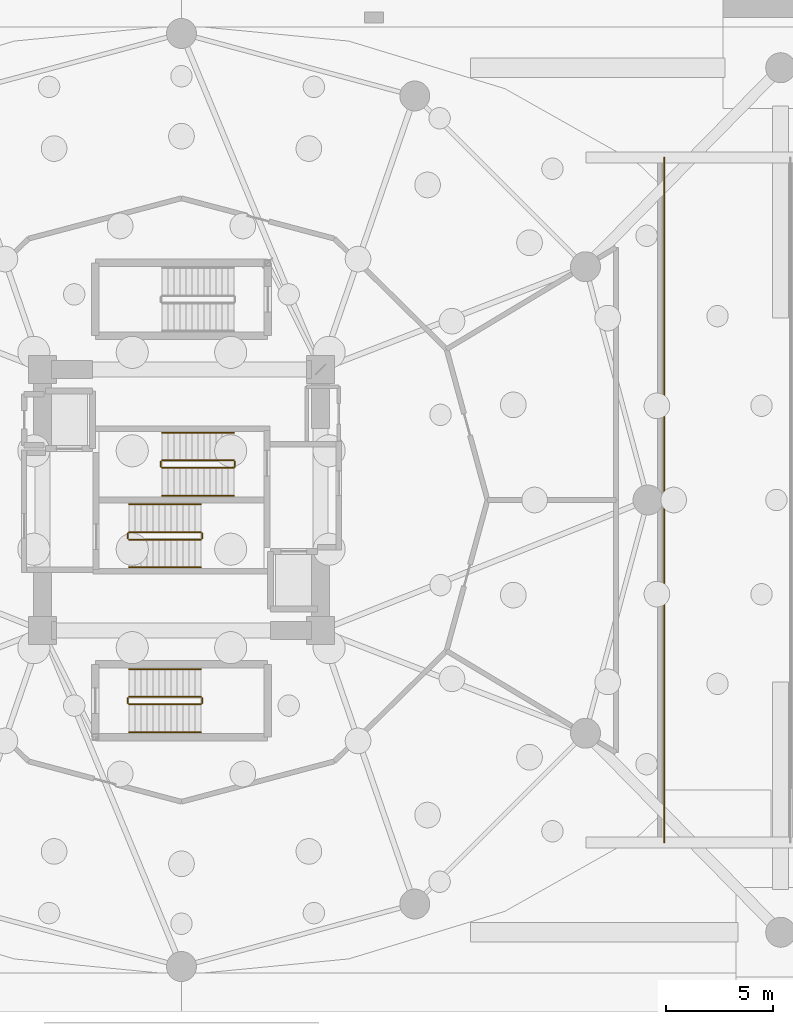
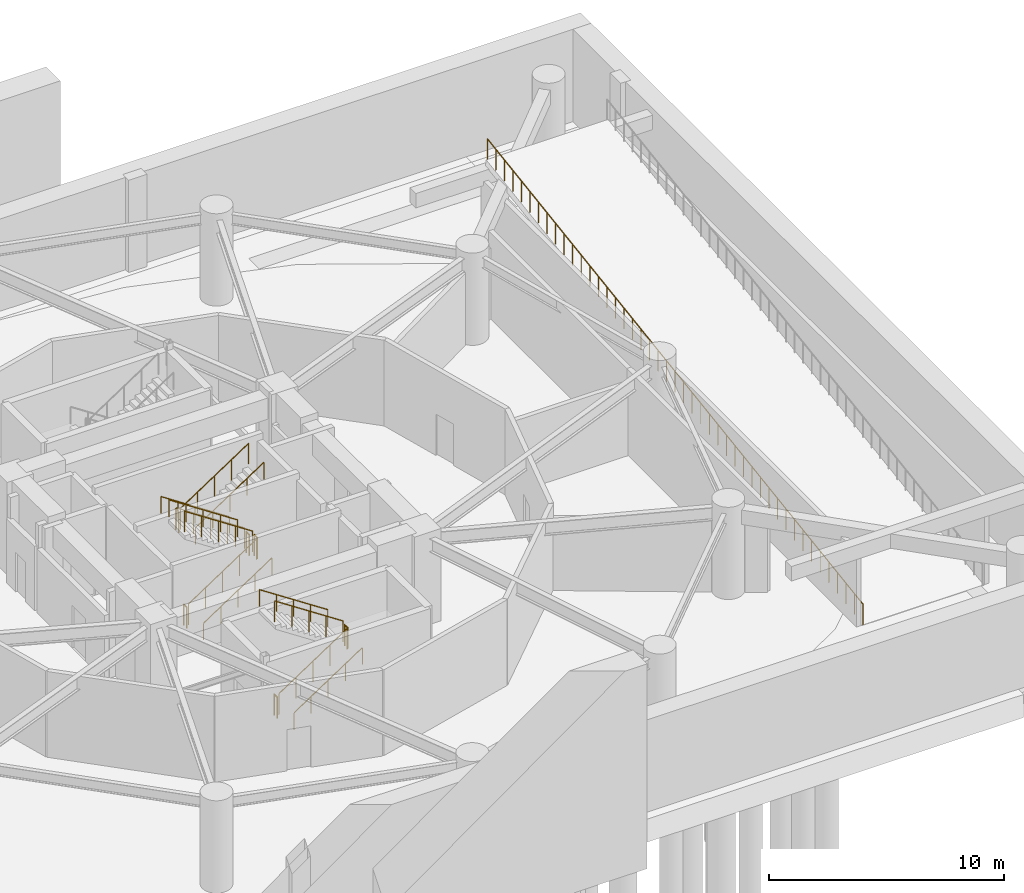
# One storey, part 10 of 12: 19 railings.
"""IFC4 building model written with IfcOpenShell, lengths in metres."""

from ifc_helpers import new_model, si_unit, direction, frame, origin, origin_2d, place, context, subcontext, project, spatial, circle, extrude, material, type_object, element, save


model = new_model("IFC4")

# Units and contexts
model_context = context("Model", 3, precision=1e-05, world=origin(), true_north=direction((0.0, 1.0)))
body_context = subcontext(model_context, "Body", "Model", "MODEL_VIEW")
ifc_project = project(units=[si_unit("LENGTHUNIT", "METRE"), si_unit("AREAUNIT", "SQUARE_METRE"), si_unit("VOLUMEUNIT", "CUBIC_METRE"), si_unit("PLANEANGLEUNIT", "RADIAN"), si_unit("MASSUNIT", "GRAM", prefix="KILO")], contexts=[model_context])

# Site, building, storey
site_placement = place(None, origin())
site = spatial("IfcSite", under=ifc_project, at=site_placement, CompositionType="ELEMENT")
building_placement = place(site_placement, origin())
building = spatial("IfcBuilding", under=site, at=building_placement, Name="Solvirekh Grand Hotel", CompositionType="ELEMENT")
storey_placement = place(building_placement, frame((0.0, 0.0, -9.60009765625)))
storey = spatial("IfcBuildingStorey", under=building, at=storey_placement, Name="B02", CompositionType="ELEMENT", Elevation=-9.60009765625)

# Railings
ifc_material_1 = material(Name="Steel S355", Category="steel")
railing_type_1 = type_object("IfcRailingType", Name="Guard_Stair_1100", PredefinedType="GUARDRAIL", material=ifc_material_1)
railing_1_placement = place(storey_placement, frame((22.56005859375, -16.0, 0.0)))
element("IfcRailing", 1, at=railing_1_placement, inside=storey, type_object=railing_type_1, Name="B02 vehicle ramp R1 W edge safety guardrail", PredefinedType="GUARDRAIL", context=body_context, shape_type="SweptSolid", body=[
    extrude(circle(Radius=0.02392578125, at=origin_2d()), frame((0.0, 0.0, 1.076171875), z_axis=(0.0, 0.988935024618, 0.148349307663), x_axis=(-1.0, 0.0, 0.0)), (0.0, 0.0, 1.0), 16.178955078125),
    extrude(circle(Radius=0.02392578125, at=origin_2d()), frame((0.0, 16.0, 3.47607421875), z_axis=(0.0, 0.988937238327, 0.148334549755), x_axis=(-1.0, 0.0, 0.0)), (0.0, 0.0, 1.0), 16.178955078125),
    extrude(circle(Radius=0.02099609375, at=origin_2d()), origin(), (0.0, 0.0, 1.0), 1.052001953125),
    extrude(circle(Radius=0.02099609375, at=origin_2d()), frame((0.0, 0.727294921875, 0.109130859375)), (0.0, 0.0, 1.0), 1.052001953125),
    extrude(circle(Radius=0.02099609375, at=origin_2d()), frame((0.0, 1.45458984375, 0.21826171875)), (0.0, 0.0, 1.0), 1.052001953125),
    extrude(circle(Radius=0.02099609375, at=origin_2d()), frame((0.0, 2.181884765625, 0.327392578125)), (0.0, 0.0, 1.0), 1.052001953125),
    extrude(circle(Radius=0.02099609375, at=origin_2d()), frame((0.0, 2.9091796875, 0.436279296875)), (0.0, 0.0, 1.0), 1.052001953125),
    extrude(circle(Radius=0.02099609375, at=origin_2d()), frame((0.0, 3.636474609375, 0.54541015625)), (0.0, 0.0, 1.0), 1.052001953125),
    extrude(circle(Radius=0.02099609375, at=origin_2d()), frame((0.0, 4.363525390625, 0.654541015625)), (0.0, 0.0, 1.0), 1.052001953125),
    extrude(circle(Radius=0.02099609375, at=origin_2d()), frame((0.0, 5.0908203125, 0.763671875)), (0.0, 0.0, 1.0), 1.052001953125),
    extrude(circle(Radius=0.02099609375, at=origin_2d()), frame((0.0, 5.818115234375, 0.872802734375)), (0.0, 0.0, 1.0), 1.052001953125),
    extrude(circle(Radius=0.02099609375, at=origin_2d()), frame((0.0, 6.54541015625, 0.98193359375)), (0.0, 0.0, 1.0), 1.052001953125),
    extrude(circle(Radius=0.02099609375, at=origin_2d()), frame((0.0, 7.272705078125, 1.091064453125)), (0.0, 0.0, 1.0), 1.052001953125),
    extrude(circle(Radius=0.02099609375, at=origin_2d()), frame((0.0, 8.0, 1.2001953125)), (0.0, 0.0, 1.0), 1.052001953125),
    extrude(circle(Radius=0.02099609375, at=origin_2d()), frame((0.0, 8.727294921875, 1.30908203125)), (0.0, 0.0, 1.0), 1.052001953125),
    extrude(circle(Radius=0.02099609375, at=origin_2d()), frame((0.0, 9.45458984375, 1.418212890625)), (0.0, 0.0, 1.0), 1.052001953125),
    extrude(circle(Radius=0.02099609375, at=origin_2d()), frame((0.0, 10.181884765625, 1.52734375)), (0.0, 0.0, 1.0), 1.052001953125),
    extrude(circle(Radius=0.02099609375, at=origin_2d()), frame((0.0, 10.9091796875, 1.636474609375)), (0.0, 0.0, 1.0), 1.052001953125),
    extrude(circle(Radius=0.02099609375, at=origin_2d()), frame((0.0, 11.636474609375, 1.74560546875)), (0.0, 0.0, 1.0), 1.052001953125),
    extrude(circle(Radius=0.02099609375, at=origin_2d()), frame((0.0, 12.363525390625, 1.854736328125)), (0.0, 0.0, 1.0), 1.052001953125),
    extrude(circle(Radius=0.02099609375, at=origin_2d()), frame((0.0, 13.0908203125, 1.9638671875)), (0.0, 0.0, 1.0), 1.052001953125),
    extrude(circle(Radius=0.02099609375, at=origin_2d()), frame((0.0, 13.818115234375, 2.07275390625)), (0.0, 0.0, 1.0), 1.052001953125),
    extrude(circle(Radius=0.02099609375, at=origin_2d()), frame((0.0, 14.54541015625, 2.181884765625)), (0.0, 0.0, 1.0), 1.052001953125),
    extrude(circle(Radius=0.02099609375, at=origin_2d()), frame((0.0, 15.272705078125, 2.291015625)), (0.0, 0.0, 1.0), 1.052001953125),
    extrude(circle(Radius=0.02099609375, at=origin_2d()), frame((0.0, 16.0, 2.400146484375)), (0.0, 0.0, 1.0), 1.052001953125),
    extrude(circle(Radius=0.02099609375, at=origin_2d()), frame((0.0, 16.727294921875, 2.50927734375)), (0.0, 0.0, 1.0), 1.052001953125),
    extrude(circle(Radius=0.02099609375, at=origin_2d()), frame((0.0, 17.45458984375, 2.618408203125)), (0.0, 0.0, 1.0), 1.052001953125),
    extrude(circle(Radius=0.02099609375, at=origin_2d()), frame((0.0, 18.181884765625, 2.727294921875)), (0.0, 0.0, 1.0), 1.052001953125),
    extrude(circle(Radius=0.02099609375, at=origin_2d()), frame((0.0, 18.9091796875, 2.83642578125)), (0.0, 0.0, 1.0), 1.052001953125),
    extrude(circle(Radius=0.02099609375, at=origin_2d()), frame((0.0, 19.636474609375, 2.945556640625)), (0.0, 0.0, 1.0), 1.052001953125),
    extrude(circle(Radius=0.02099609375, at=origin_2d()), frame((0.0, 20.363525390625, 3.0546875)), (0.0, 0.0, 1.0), 1.052001953125),
    extrude(circle(Radius=0.02099609375, at=origin_2d()), frame((0.0, 21.0908203125, 3.163818359375)), (0.0, 0.0, 1.0), 1.052001953125),
    extrude(circle(Radius=0.02099609375, at=origin_2d()), frame((0.0, 21.818115234375, 3.27294921875)), (0.0, 0.0, 1.0), 1.052001953125),
    extrude(circle(Radius=0.02099609375, at=origin_2d()), frame((0.0, 22.54541015625, 3.3818359375)), (0.0, 0.0, 1.0), 1.052001953125),
    extrude(circle(Radius=0.02099609375, at=origin_2d()), frame((0.0, 23.272705078125, 3.490966796875)), (0.0, 0.0, 1.0), 1.052001953125),
    extrude(circle(Radius=0.02099609375, at=origin_2d()), frame((0.0, 24.0, 3.60009765625)), (0.0, 0.0, 1.0), 1.052001953125),
    extrude(circle(Radius=0.02099609375, at=origin_2d()), frame((0.0, 24.727294921875, 3.709228515625)), (0.0, 0.0, 1.0), 1.052001953125),
    extrude(circle(Radius=0.02099609375, at=origin_2d()), frame((0.0, 25.45458984375, 3.818359375)), (0.0, 0.0, 1.0), 1.052001953125),
    extrude(circle(Radius=0.02099609375, at=origin_2d()), frame((0.0, 26.181884765625, 3.92724609375)), (0.0, 0.0, 1.0), 1.052001953125),
    extrude(circle(Radius=0.02099609375, at=origin_2d()), frame((0.0, 26.9091796875, 4.036376953125)), (0.0, 0.0, 1.0), 1.052001953125),
    extrude(circle(Radius=0.02099609375, at=origin_2d()), frame((0.0, 27.636474609375, 4.1455078125)), (0.0, 0.0, 1.0), 1.052001953125),
    extrude(circle(Radius=0.02099609375, at=origin_2d()), frame((0.0, 28.363525390625, 4.254638671875)), (0.0, 0.0, 1.0), 1.052001953125),
    extrude(circle(Radius=0.02099609375, at=origin_2d()), frame((0.0, 29.0908203125, 4.36376953125)), (0.0, 0.0, 1.0), 1.052001953125),
    extrude(circle(Radius=0.02099609375, at=origin_2d()), frame((0.0, 29.818115234375, 4.472900390625)), (0.0, 0.0, 1.0), 1.052001953125),
    extrude(circle(Radius=0.02099609375, at=origin_2d()), frame((0.0, 30.54541015625, 4.581787109375)), (0.0, 0.0, 1.0), 1.052001953125),
    extrude(circle(Radius=0.02099609375, at=origin_2d()), frame((0.0, 31.272705078125, 4.69091796875)), (0.0, 0.0, 1.0), 1.052001953125),
    extrude(circle(Radius=0.02099609375, at=origin_2d()), frame((0.0, 32.0, 4.800048828125)), (0.0, 0.0, 1.0), 1.052001953125),
])
railing_2_placement = place(storey_placement, frame((-2.449951171875, -1.85009765625, 0.184814453125)))
element("IfcRailing", 2, at=railing_2_placement, inside=storey, type_object=railing_type_1, Name="B02 ST-1 stair guard 1", PredefinedType="GUARDRAIL", context=body_context, shape_type="SweptSolid", body=[
    extrude(circle(Radius=0.02392578125, at=origin_2d()), frame((0.0, 0.0, 1.076171875), z_axis=(0.834858096282, 0.0, 0.550465220583), x_axis=(0.0, 1.0, 0.0)), (0.0, 0.0, 1.0), 4.0244140625),
    extrude(circle(Radius=0.02099609375, at=origin_2d()), origin(), (0.0, 0.0, 1.0), 1.052001953125),
    extrude(circle(Radius=0.02099609375, at=origin_2d()), frame((0.83984375, 0.0, 0.5537109375)), (0.0, 0.0, 1.0), 1.052001953125),
    extrude(circle(Radius=0.02099609375, at=origin_2d()), frame((1.679931640625, 0.0, 1.107666015625)), (0.0, 0.0, 1.0), 1.052001953125),
    extrude(circle(Radius=0.02099609375, at=origin_2d()), frame((2.52001953125, 0.0, 1.66162109375)), (0.0, 0.0, 1.0), 1.052001953125),
    extrude(circle(Radius=0.02099609375, at=origin_2d()), frame((3.35986328125, 0.0, 2.21533203125)), (0.0, 0.0, 1.0), 1.052001953125),
])
railing_3_placement = place(storey_placement, frame((0.9599609375, -1.800048828125, 2.400146484375)))
element("IfcRailing", 3, at=railing_3_placement, inside=storey, type_object=railing_type_1, Name="B02 ST-1 stair guard 2", PredefinedType="GUARDRAIL", context=body_context, shape_type="SweptSolid", body=[
    extrude(circle(Radius=0.02392578125, at=origin_2d()), frame((0.0, 0.0, 1.076171875), z_axis=(0.0, 1.0, 0.0), x_axis=(-1.0, 0.0, 0.0)), (0.0, 0.0, 1.0), 0.25),
    extrude(circle(Radius=0.02099609375, at=origin_2d()), origin(), (0.0, 0.0, 1.0), 1.052001953125),
    extrude(circle(Radius=0.02099609375, at=origin_2d()), frame((0.0, 0.25, 0.0)), (0.0, 0.0, 1.0), 1.052001953125),
])
railing_4_placement = place(storey_placement, frame((0.909912109375, -1.5, 2.584716796875)))
element("IfcRailing", 4, at=railing_4_placement, inside=storey, type_object=railing_type_1, Name="B02 ST-1 stair guard 3", PredefinedType="GUARDRAIL", context=body_context, shape_type="SweptSolid", body=[
    extrude(circle(Radius=0.02392578125, at=origin_2d()), frame((0.0, 0.0, 1.076171875), z_axis=(-0.834858096282, 0.0, 0.550465220583), x_axis=(0.0, -1.0, 0.0)), (0.0, 0.0, 1.0), 4.0244140625),
    extrude(circle(Radius=0.02099609375, at=origin_2d()), origin(), (0.0, 0.0, 1.0), 1.052001953125),
    extrude(circle(Radius=0.02099609375, at=origin_2d()), frame((-0.83984375, 0.0, 0.5537109375)), (0.0, 0.0, 1.0), 1.052001953125),
    extrude(circle(Radius=0.02099609375, at=origin_2d()), frame((-1.679931640625, 0.0, 1.107666015625)), (0.0, 0.0, 1.0), 1.052001953125),
    extrude(circle(Radius=0.02099609375, at=origin_2d()), frame((-2.52001953125, 0.0, 1.66162109375)), (0.0, 0.0, 1.0), 1.052001953125),
    extrude(circle(Radius=0.02099609375, at=origin_2d()), frame((-3.35986328125, 0.0, 2.21533203125)), (0.0, 0.0, 1.0), 1.052001953125),
])
railing_5_placement = place(storey_placement, frame((-2.5, -1.800048828125, 0.0)))
element("IfcRailing", 5, at=railing_5_placement, inside=storey, type_object=railing_type_1, Name="B02 ST-1 stair guard 4", PredefinedType="GUARDRAIL", context=body_context, shape_type="SweptSolid", body=[
    extrude(circle(Radius=0.02392578125, at=origin_2d()), frame((0.0, 0.0, 1.076171875), z_axis=(0.0, 1.0, 0.0), x_axis=(-1.0, 0.0, 0.0)), (0.0, 0.0, 1.0), 0.25),
    extrude(circle(Radius=0.02099609375, at=origin_2d()), origin(), (0.0, 0.0, 1.0), 1.052001953125),
    extrude(circle(Radius=0.02099609375, at=origin_2d()), frame((0.0, 0.25, 0.0)), (0.0, 0.0, 1.0), 1.052001953125),
])
railing_6_placement = place(storey_placement, frame((2.449951171875, 1.85009765625, 0.184814453125)))
element("IfcRailing", 6, at=railing_6_placement, inside=storey, type_object=railing_type_1, Name="B02 ST-2 stair guard 1", PredefinedType="GUARDRAIL", context=body_context, shape_type="SweptSolid", body=[
    extrude(circle(Radius=0.02392578125, at=origin_2d()), frame((0.0, 0.0, 1.076171875), z_axis=(-0.834858096282, 0.0, 0.550465220583), x_axis=(0.0, -1.0, 0.0)), (0.0, 0.0, 1.0), 4.0244140625),
    extrude(circle(Radius=0.02099609375, at=origin_2d()), origin(), (0.0, 0.0, 1.0), 1.052001953125),
    extrude(circle(Radius=0.02099609375, at=origin_2d()), frame((-0.83984375, 0.0, 0.5537109375)), (0.0, 0.0, 1.0), 1.052001953125),
    extrude(circle(Radius=0.02099609375, at=origin_2d()), frame((-1.679931640625, 0.0, 1.107666015625)), (0.0, 0.0, 1.0), 1.052001953125),
    extrude(circle(Radius=0.02099609375, at=origin_2d()), frame((-2.52001953125, 0.0, 1.66162109375)), (0.0, 0.0, 1.0), 1.052001953125),
    extrude(circle(Radius=0.02099609375, at=origin_2d()), frame((-3.35986328125, 0.0, 2.21533203125)), (0.0, 0.0, 1.0), 1.052001953125),
])
railing_7_placement = place(storey_placement, frame((-0.9599609375, 1.800048828125, 2.400146484375)))
element("IfcRailing", 7, at=railing_7_placement, inside=storey, type_object=railing_type_1, Name="B02 ST-2 stair guard 2", PredefinedType="GUARDRAIL", context=body_context, shape_type="SweptSolid", body=[
    extrude(circle(Radius=0.02392578125, at=origin_2d()), frame((0.0, 0.0, 1.076171875), z_axis=(0.0, -1.0, 0.0), x_axis=(1.0, 0.0, 0.0)), (0.0, 0.0, 1.0), 0.25),
    extrude(circle(Radius=0.02099609375, at=origin_2d()), origin(), (0.0, 0.0, 1.0), 1.052001953125),
    extrude(circle(Radius=0.02099609375, at=origin_2d()), frame((0.0, -0.25, 0.0)), (0.0, 0.0, 1.0), 1.052001953125),
])
railing_8_placement = place(storey_placement, frame((-0.909912109375, 1.5, 2.584716796875)))
element("IfcRailing", 8, at=railing_8_placement, inside=storey, type_object=railing_type_1, Name="B02 ST-2 stair guard 3", PredefinedType="GUARDRAIL", context=body_context, shape_type="SweptSolid", body=[
    extrude(circle(Radius=0.02392578125, at=origin_2d()), frame((0.0, 0.0, 1.076171875), z_axis=(0.834858096282, 0.0, 0.550465220583), x_axis=(0.0, 1.0, 0.0)), (0.0, 0.0, 1.0), 4.0244140625),
    extrude(circle(Radius=0.02099609375, at=origin_2d()), origin(), (0.0, 0.0, 1.0), 1.052001953125),
    extrude(circle(Radius=0.02099609375, at=origin_2d()), frame((0.83984375, 0.0, 0.5537109375)), (0.0, 0.0, 1.0), 1.052001953125),
    extrude(circle(Radius=0.02099609375, at=origin_2d()), frame((1.679931640625, 0.0, 1.107666015625)), (0.0, 0.0, 1.0), 1.052001953125),
    extrude(circle(Radius=0.02099609375, at=origin_2d()), frame((2.52001953125, 0.0, 1.66162109375)), (0.0, 0.0, 1.0), 1.052001953125),
    extrude(circle(Radius=0.02099609375, at=origin_2d()), frame((3.35986328125, 0.0, 2.21533203125)), (0.0, 0.0, 1.0), 1.052001953125),
])
railing_9_placement = place(storey_placement, frame((2.5, 1.800048828125, 0.0)))
element("IfcRailing", 9, at=railing_9_placement, inside=storey, type_object=railing_type_1, Name="B02 ST-2 stair guard 4", PredefinedType="GUARDRAIL", context=body_context, shape_type="SweptSolid", body=[
    extrude(circle(Radius=0.02392578125, at=origin_2d()), frame((0.0, 0.0, 1.076171875), z_axis=(0.0, -1.0, 0.0), x_axis=(1.0, 0.0, 0.0)), (0.0, 0.0, 1.0), 0.25),
    extrude(circle(Radius=0.02099609375, at=origin_2d()), origin(), (0.0, 0.0, 1.0), 1.052001953125),
    extrude(circle(Radius=0.02099609375, at=origin_2d()), frame((0.0, -0.25, 0.0)), (0.0, 0.0, 1.0), 1.052001953125),
])
railing_10_placement = place(storey_placement, frame((-2.449951171875, -9.550048828125, 0.184814453125)))
element("IfcRailing", 10, at=railing_10_placement, inside=storey, type_object=railing_type_1, Name="B02 ST-3 stair guard 1", PredefinedType="GUARDRAIL", context=body_context, shape_type="SweptSolid", body=[
    extrude(circle(Radius=0.02392578125, at=origin_2d()), frame((0.0, 0.0, 1.076171875), z_axis=(0.834858096282, 0.0, 0.550465220583), x_axis=(0.0, 1.0, 0.0)), (0.0, 0.0, 1.0), 4.0244140625),
    extrude(circle(Radius=0.02099609375, at=origin_2d()), origin(), (0.0, 0.0, 1.0), 1.052001953125),
    extrude(circle(Radius=0.02099609375, at=origin_2d()), frame((0.83984375, 0.0, 0.5537109375)), (0.0, 0.0, 1.0), 1.052001953125),
    extrude(circle(Radius=0.02099609375, at=origin_2d()), frame((1.679931640625, 0.0, 1.107666015625)), (0.0, 0.0, 1.0), 1.052001953125),
    extrude(circle(Radius=0.02099609375, at=origin_2d()), frame((2.52001953125, 0.0, 1.66162109375)), (0.0, 0.0, 1.0), 1.052001953125),
    extrude(circle(Radius=0.02099609375, at=origin_2d()), frame((3.35986328125, 0.0, 2.21533203125)), (0.0, 0.0, 1.0), 1.052001953125),
])
railing_11_placement = place(storey_placement, frame((0.9599609375, -9.5, 2.400146484375)))
element("IfcRailing", 11, at=railing_11_placement, inside=storey, type_object=railing_type_1, Name="B02 ST-3 stair guard 2", PredefinedType="GUARDRAIL", context=body_context, shape_type="SweptSolid", body=[
    extrude(circle(Radius=0.02392578125, at=origin_2d()), frame((0.0, 0.0, 1.076171875), z_axis=(0.0, 1.0, 0.0), x_axis=(-1.0, 0.0, 0.0)), (0.0, 0.0, 1.0), 0.25),
    extrude(circle(Radius=0.02099609375, at=origin_2d()), origin(), (0.0, 0.0, 1.0), 1.052001953125),
    extrude(circle(Radius=0.02099609375, at=origin_2d()), frame((0.0, 0.25, 0.0)), (0.0, 0.0, 1.0), 1.052001953125),
])
railing_12_placement = place(storey_placement, frame((0.909912109375, -9.199951171875, 2.584716796875)))
element("IfcRailing", 12, at=railing_12_placement, inside=storey, type_object=railing_type_1, Name="B02 ST-3 stair guard 3", PredefinedType="GUARDRAIL", context=body_context, shape_type="SweptSolid", body=[
    extrude(circle(Radius=0.02392578125, at=origin_2d()), frame((0.0, 0.0, 1.076171875), z_axis=(-0.834858096282, 0.0, 0.550465220583), x_axis=(0.0, -1.0, 0.0)), (0.0, 0.0, 1.0), 4.0244140625),
    extrude(circle(Radius=0.02099609375, at=origin_2d()), origin(), (0.0, 0.0, 1.0), 1.052001953125),
    extrude(circle(Radius=0.02099609375, at=origin_2d()), frame((-0.83984375, 0.0, 0.5537109375)), (0.0, 0.0, 1.0), 1.052001953125),
    extrude(circle(Radius=0.02099609375, at=origin_2d()), frame((-1.679931640625, 0.0, 1.107666015625)), (0.0, 0.0, 1.0), 1.052001953125),
    extrude(circle(Radius=0.02099609375, at=origin_2d()), frame((-2.52001953125, 0.0, 1.66162109375)), (0.0, 0.0, 1.0), 1.052001953125),
    extrude(circle(Radius=0.02099609375, at=origin_2d()), frame((-3.35986328125, 0.0, 2.21533203125)), (0.0, 0.0, 1.0), 1.052001953125),
])
railing_13_placement = place(storey_placement, frame((-2.5, -9.5, 0.0)))
element("IfcRailing", 13, at=railing_13_placement, inside=storey, type_object=railing_type_1, Name="B02 ST-3 stair guard 4", PredefinedType="GUARDRAIL", context=body_context, shape_type="SweptSolid", body=[
    extrude(circle(Radius=0.02392578125, at=origin_2d()), frame((0.0, 0.0, 1.076171875), z_axis=(0.0, 1.0, 0.0), x_axis=(-1.0, 0.0, 0.0)), (0.0, 0.0, 1.0), 0.25),
    extrude(circle(Radius=0.02099609375, at=origin_2d()), origin(), (0.0, 0.0, 1.0), 1.052001953125),
    extrude(circle(Radius=0.02099609375, at=origin_2d()), frame((0.0, 0.25, 0.0)), (0.0, 0.0, 1.0), 1.052001953125),
])
ifc_material_2 = material(Name="Anodized Bronze Aluminium 6063-T6", Category="aluminium")
railing_type_2 = type_object("IfcRailingType", Name="Handrail_Wall_900", PredefinedType="HANDRAIL", material=ifc_material_2)
railing_14_placement = place(storey_placement, frame((-2.449951171875, -3.14990234375, 0.184814453125)))
element("IfcRailing", 14, at=railing_14_placement, inside=storey, type_object=railing_type_2, Name="B02 ST-1 stair handrail 1", PredefinedType="HANDRAIL", context=body_context, shape_type="SweptSolid", body=[
    extrude(circle(Radius=0.02392578125, at=origin_2d()), frame((0.0, 0.0, 0.8759765625), z_axis=(0.834858096282, 0.0, 0.550465220583), x_axis=(0.0, 1.0, 0.0)), (0.0, 0.0, 1.0), 4.0244140625),
    extrude(circle(Radius=0.02099609375, at=origin_2d()), origin(), (0.0, 0.0, 1.0), 0.851806640625),
    extrude(circle(Radius=0.02099609375, at=origin_2d()), frame((0.83984375, 0.0, 0.5537109375)), (0.0, 0.0, 1.0), 0.851806640625),
    extrude(circle(Radius=0.02099609375, at=origin_2d()), frame((1.679931640625, 0.0, 1.107666015625)), (0.0, 0.0, 1.0), 0.851806640625),
    extrude(circle(Radius=0.02099609375, at=origin_2d()), frame((2.52001953125, 0.0, 1.66162109375)), (0.0, 0.0, 1.0), 0.851806640625),
    extrude(circle(Radius=0.02099609375, at=origin_2d()), frame((3.35986328125, 0.0, 2.21533203125)), (0.0, 0.0, 1.0), 0.851806640625),
])
for number, where, name in (
    (15, (0.909912109375, -0.199951171875, 2.584716796875), "B02 ST-1 stair handrail 2"),
    (16, (2.449951171875, 3.14990234375, 0.184814453125), "B02 ST-2 stair handrail 1"),
):
    element("IfcRailing", number, at=place(storey_placement, frame(where)), inside=storey, type_object=railing_type_2, Name=name, PredefinedType="HANDRAIL", context=body_context, shape_type="SweptSolid", body=[
        extrude(circle(Radius=0.02392578125, at=origin_2d()), frame((0.0, 0.0, 0.8759765625), z_axis=(-0.834858096282, 0.0, 0.550465220583), x_axis=(0.0, -1.0, 0.0)), (0.0, 0.0, 1.0), 4.0244140625),
        extrude(circle(Radius=0.02099609375, at=origin_2d()), origin(), (0.0, 0.0, 1.0), 0.851806640625),
        extrude(circle(Radius=0.02099609375, at=origin_2d()), frame((-0.83984375, 0.0, 0.5537109375)), (0.0, 0.0, 1.0), 0.851806640625),
        extrude(circle(Radius=0.02099609375, at=origin_2d()), frame((-1.679931640625, 0.0, 1.107666015625)), (0.0, 0.0, 1.0), 0.851806640625),
        extrude(circle(Radius=0.02099609375, at=origin_2d()), frame((-2.52001953125, 0.0, 1.66162109375)), (0.0, 0.0, 1.0), 0.851806640625),
        extrude(circle(Radius=0.02099609375, at=origin_2d()), frame((-3.35986328125, 0.0, 2.21533203125)), (0.0, 0.0, 1.0), 0.851806640625),
    ])
for number, where, name in (
    (17, (-0.909912109375, 0.199951171875, 2.584716796875), "B02 ST-2 stair handrail 2"),
    (18, (-2.449951171875, -10.85009765625, 0.184814453125), "B02 ST-3 stair handrail 1"),
):
    element("IfcRailing", number, at=place(storey_placement, frame(where)), inside=storey, type_object=railing_type_2, Name=name, PredefinedType="HANDRAIL", context=body_context, shape_type="SweptSolid", body=[
        extrude(circle(Radius=0.02392578125, at=origin_2d()), frame((0.0, 0.0, 0.8759765625), z_axis=(0.834858096282, 0.0, 0.550465220583), x_axis=(0.0, 1.0, 0.0)), (0.0, 0.0, 1.0), 4.0244140625),
        extrude(circle(Radius=0.02099609375, at=origin_2d()), origin(), (0.0, 0.0, 1.0), 0.851806640625),
        extrude(circle(Radius=0.02099609375, at=origin_2d()), frame((0.83984375, 0.0, 0.5537109375)), (0.0, 0.0, 1.0), 0.851806640625),
        extrude(circle(Radius=0.02099609375, at=origin_2d()), frame((1.679931640625, 0.0, 1.107666015625)), (0.0, 0.0, 1.0), 0.851806640625),
        extrude(circle(Radius=0.02099609375, at=origin_2d()), frame((2.52001953125, 0.0, 1.66162109375)), (0.0, 0.0, 1.0), 0.851806640625),
        extrude(circle(Radius=0.02099609375, at=origin_2d()), frame((3.35986328125, 0.0, 2.21533203125)), (0.0, 0.0, 1.0), 0.851806640625),
    ])
railing_15_placement = place(storey_placement, frame((0.909912109375, -7.89990234375, 2.584716796875)))
element("IfcRailing", 19, at=railing_15_placement, inside=storey, type_object=railing_type_2, Name="B02 ST-3 stair handrail 2", PredefinedType="HANDRAIL", context=body_context, shape_type="SweptSolid", body=[
    extrude(circle(Radius=0.02392578125, at=origin_2d()), frame((0.0, 0.0, 0.8759765625), z_axis=(-0.834858096282, 0.0, 0.550465220583), x_axis=(0.0, -1.0, 0.0)), (0.0, 0.0, 1.0), 4.0244140625),
    extrude(circle(Radius=0.02099609375, at=origin_2d()), origin(), (0.0, 0.0, 1.0), 0.851806640625),
    extrude(circle(Radius=0.02099609375, at=origin_2d()), frame((-0.83984375, 0.0, 0.5537109375)), (0.0, 0.0, 1.0), 0.851806640625),
    extrude(circle(Radius=0.02099609375, at=origin_2d()), frame((-1.679931640625, 0.0, 1.107666015625)), (0.0, 0.0, 1.0), 0.851806640625),
    extrude(circle(Radius=0.02099609375, at=origin_2d()), frame((-2.52001953125, 0.0, 1.66162109375)), (0.0, 0.0, 1.0), 0.851806640625),
    extrude(circle(Radius=0.02099609375, at=origin_2d()), frame((-3.35986328125, 0.0, 2.21533203125)), (0.0, 0.0, 1.0), 0.851806640625),
])

save(model, "model.ifc")
